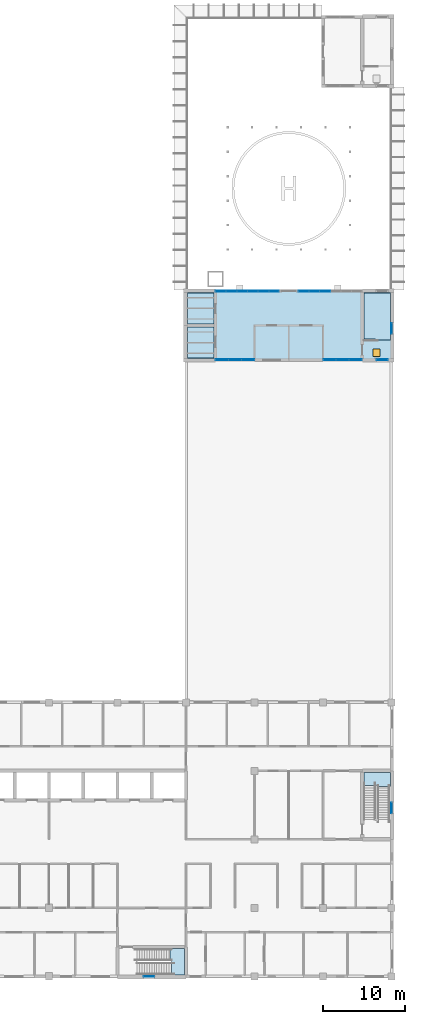
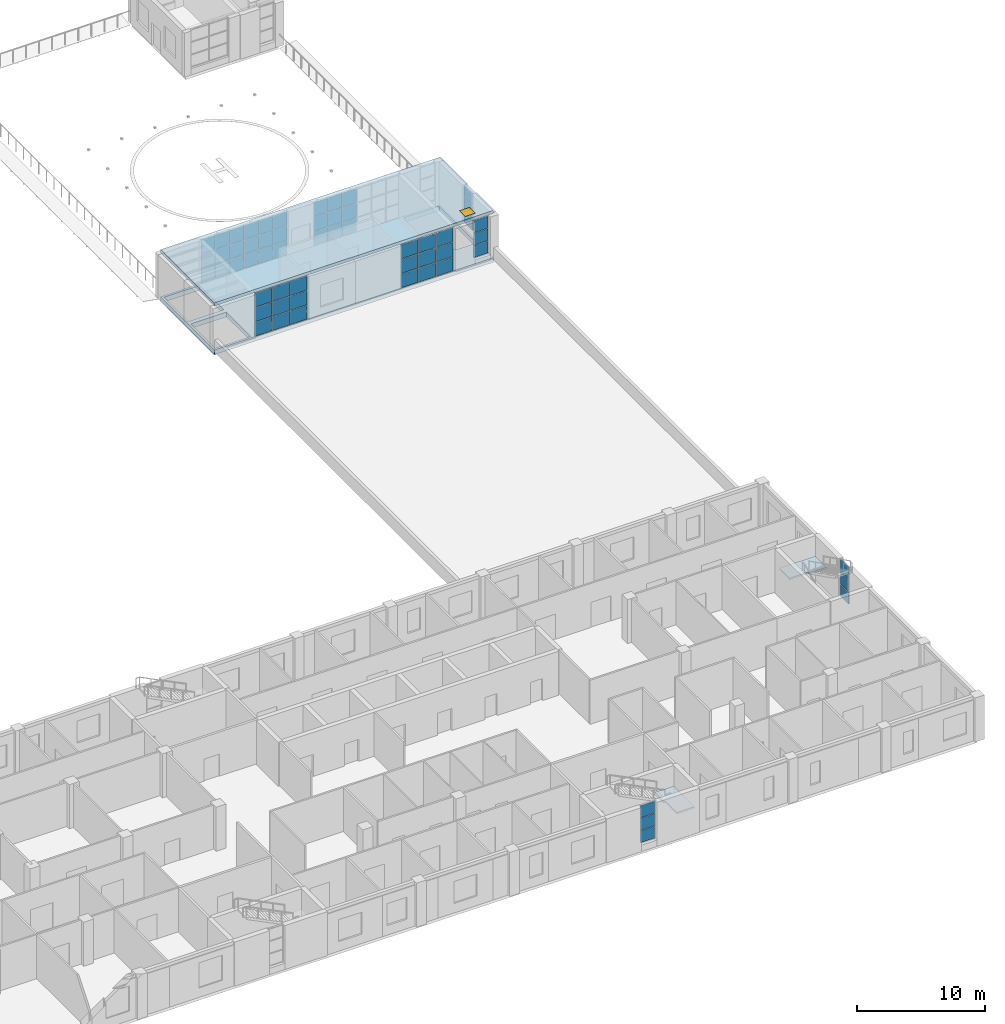
# One storey, part 30 of 66: 57 plates, 4 slabs, 1 door, 1 opening, 10 elements without a shape of their own.
"""IFC4 building model written with IfcOpenShell, lengths in metres."""

from ifc_helpers import new_model, si_unit, direction, frame, origin, origin_2d, place, context, subcontext, project, spatial, polyline, rectangle, outline, extrude, material, layer, layer_set, type_object, element, fill, aggregate, save


model = new_model("IFC4")

# Units and contexts
model_context = context("Model", 3, precision=1e-05, world=origin(), true_north=direction((0.0, 1.0)))
body_context = subcontext(model_context, "Body", "Model", "MODEL_VIEW")
ifc_project = project(units=[si_unit("LENGTHUNIT", "METRE"), si_unit("AREAUNIT", "SQUARE_METRE"), si_unit("VOLUMEUNIT", "CUBIC_METRE"), si_unit("PLANEANGLEUNIT", "RADIAN"), si_unit("MASSUNIT", "GRAM", prefix="KILO")], contexts=[model_context])

# Site, building, storey
site_placement = place(None, origin())
site = spatial("IfcSite", under=ifc_project, at=site_placement, CompositionType="ELEMENT")
building_placement = place(site_placement, origin())
building = spatial("IfcBuilding", under=site, at=building_placement, Name="Yavir Park General Hospital", CompositionType="ELEMENT")
storey_placement = place(building_placement, frame((0.0, 0.0, 8.39990234375)))
storey = spatial("IfcBuildingStorey", under=building, at=storey_placement, Name="L02", CompositionType="ELEMENT", Elevation=8.39990234375)

# Curtain wall, plates
ifc_material_1 = material(Name="Aluminium curtain wall frame with insulated glazing", Category="aluminium")
curtain_wall_type_1 = type_object("IfcCurtainWallType", Name="Helipad lobby glazing, 4200 high, 1400 module", PredefinedType="NOTDEFINED", material=ifc_material_1)
curtain_wall_1_placement = place(storey_placement, origin())
curtain_wall_1 = element("IfcCurtainWall", 1, at=curtain_wall_1_placement, inside=storey, type_object=curtain_wall_type_1, Name="CW7 L02-008", PredefinedType="NOTDEFINED")
ifc_material_2 = material(Name="Acoustic glazed unit 80 mm")
ifc_layer_1 = layer(ifc_material_2, 0.080078125)
ifc_layer_set_1 = layer_set([ifc_layer_1], Name="Acoustic glazed unit 80 mm")
plate_type_1 = type_object("IfcPlateType", Name="Helipad lobby glazing, 4200 high panel 80", PredefinedType="CURTAIN_PANEL", material=ifc_layer_set_1)
plate_1_placement = place(storey_placement, frame((147.215087890625, 75.60009765625, 0.06005859375), z_axis=(0.0, 0.0, 1.0), x_axis=(1.0, 0.0, 0.0)))
plate_1 = element("IfcPlate", 2, at=plate_1_placement, type_object=plate_type_1, Name="CW7 panel 1.1", PredefinedType="CURTAIN_PANEL", context=body_context, shape_type="SweptSolid", body=[
    extrude(rectangle(XDim=1.510009765625, YDim=0.080078125, at=origin_2d()), origin(), (0.0, 0.0, 1.0), 1.31005859375),
])
plate_2_placement = place(storey_placement, frame((147.215087890625, 75.60009765625, 1.43017578125), z_axis=(0.0, 0.0, 1.0), x_axis=(1.0, 0.0, 0.0)))
plate_2 = element("IfcPlate", 3, at=plate_2_placement, type_object=plate_type_1, Name="CW7 panel 1.2", PredefinedType="CURTAIN_PANEL", context=body_context, shape_type="SweptSolid", body=[
    extrude(rectangle(XDim=1.510009765625, YDim=0.080078125, at=origin_2d()), origin(), (0.0, 0.0, 1.0), 1.340087890625),
])
plate_3_placement = place(storey_placement, frame((147.215087890625, 75.60009765625, 2.830078125), z_axis=(0.0, 0.0, 1.0), x_axis=(1.0, 0.0, 0.0)))
plate_3 = element("IfcPlate", 4, at=plate_3_placement, type_object=plate_type_1, Name="CW7 panel 1.3", PredefinedType="CURTAIN_PANEL", context=body_context, shape_type="SweptSolid", body=[
    extrude(rectangle(XDim=1.510009765625, YDim=0.080078125, at=origin_2d()), origin(), (0.0, 0.0, 1.0), 1.31005859375),
])
plate_4_placement = place(storey_placement, frame((148.800048828125, 75.60009765625, 0.06005859375), z_axis=(0.0, 0.0, 1.0), x_axis=(1.0, 0.0, 0.0)))
plate_4 = element("IfcPlate", 5, at=plate_4_placement, type_object=plate_type_1, Name="CW7 panel 2.1", PredefinedType="CURTAIN_PANEL", context=body_context, shape_type="SweptSolid", body=[
    extrude(rectangle(XDim=1.5400390625, YDim=0.080078125, at=origin_2d()), origin(), (0.0, 0.0, 1.0), 1.31005859375),
])
plate_5_placement = place(storey_placement, frame((148.800048828125, 75.60009765625, 1.43017578125), z_axis=(0.0, 0.0, 1.0), x_axis=(1.0, 0.0, 0.0)))
plate_5 = element("IfcPlate", 6, at=plate_5_placement, type_object=plate_type_1, Name="CW7 panel 2.2", PredefinedType="CURTAIN_PANEL", context=body_context, shape_type="SweptSolid", body=[
    extrude(rectangle(XDim=1.5400390625, YDim=0.080078125, at=origin_2d()), origin(), (0.0, 0.0, 1.0), 1.340087890625),
])
plate_6_placement = place(storey_placement, frame((148.800048828125, 75.60009765625, 2.830078125), z_axis=(0.0, 0.0, 1.0), x_axis=(1.0, 0.0, 0.0)))
plate_6 = element("IfcPlate", 7, at=plate_6_placement, type_object=plate_type_1, Name="CW7 panel 2.3", PredefinedType="CURTAIN_PANEL", context=body_context, shape_type="SweptSolid", body=[
    extrude(rectangle(XDim=1.5400390625, YDim=0.080078125, at=origin_2d()), origin(), (0.0, 0.0, 1.0), 1.31005859375),
])
plate_7_placement = place(storey_placement, frame((150.385009765625, 75.60009765625, 0.06005859375), z_axis=(0.0, 0.0, 1.0), x_axis=(1.0, 0.0, 0.0)))
plate_7 = element("IfcPlate", 8, at=plate_7_placement, type_object=plate_type_1, Name="CW7 panel 3.1", PredefinedType="CURTAIN_PANEL", context=body_context, shape_type="SweptSolid", body=[
    extrude(rectangle(XDim=1.510009765625, YDim=0.080078125, at=origin_2d()), origin(), (0.0, 0.0, 1.0), 1.31005859375),
])
plate_8_placement = place(storey_placement, frame((150.385009765625, 75.60009765625, 1.43017578125), z_axis=(0.0, 0.0, 1.0), x_axis=(1.0, 0.0, 0.0)))
plate_8 = element("IfcPlate", 9, at=plate_8_placement, type_object=plate_type_1, Name="CW7 panel 3.2", PredefinedType="CURTAIN_PANEL", context=body_context, shape_type="SweptSolid", body=[
    extrude(rectangle(XDim=1.510009765625, YDim=0.080078125, at=origin_2d()), origin(), (0.0, 0.0, 1.0), 1.340087890625),
])
plate_9_placement = place(storey_placement, frame((150.385009765625, 75.60009765625, 2.830078125), z_axis=(0.0, 0.0, 1.0), x_axis=(1.0, 0.0, 0.0)))
plate_9 = element("IfcPlate", 10, at=plate_9_placement, type_object=plate_type_1, Name="CW7 panel 3.3", PredefinedType="CURTAIN_PANEL", context=body_context, shape_type="SweptSolid", body=[
    extrude(rectangle(XDim=1.510009765625, YDim=0.080078125, at=origin_2d()), origin(), (0.0, 0.0, 1.0), 1.31005859375),
])
aggregate(curtain_wall_1, [plate_1, plate_2, plate_3, plate_4, plate_5, plate_6, plate_7, plate_8, plate_9])

curtain_wall_2_placement = place(storey_placement, origin())
curtain_wall_2 = element("IfcCurtainWall", 11, at=curtain_wall_2_placement, inside=storey, type_object=curtain_wall_type_1, Name="CW7 L02-009", PredefinedType="NOTDEFINED")
plate_10_placement = place(storey_placement, frame((160.4150390625, 75.60009765625, 0.06005859375), z_axis=(0.0, 0.0, 1.0), x_axis=(1.0, 0.0, 0.0)))
plate_10 = element("IfcPlate", 12, at=plate_10_placement, type_object=plate_type_1, Name="CW7 panel 1.1", PredefinedType="CURTAIN_PANEL", context=body_context, shape_type="SweptSolid", body=[
    extrude(rectangle(XDim=1.510009765625, YDim=0.080078125, at=origin_2d()), origin(), (0.0, 0.0, 1.0), 1.31005859375),
])
plate_11_placement = place(storey_placement, frame((160.4150390625, 75.60009765625, 1.43017578125), z_axis=(0.0, 0.0, 1.0), x_axis=(1.0, 0.0, 0.0)))
plate_11 = element("IfcPlate", 13, at=plate_11_placement, type_object=plate_type_1, Name="CW7 panel 1.2", PredefinedType="CURTAIN_PANEL", context=body_context, shape_type="SweptSolid", body=[
    extrude(rectangle(XDim=1.510009765625, YDim=0.080078125, at=origin_2d()), origin(), (0.0, 0.0, 1.0), 1.340087890625),
])
plate_12_placement = place(storey_placement, frame((160.4150390625, 75.60009765625, 2.830078125), z_axis=(0.0, 0.0, 1.0), x_axis=(1.0, 0.0, 0.0)))
plate_12 = element("IfcPlate", 14, at=plate_12_placement, type_object=plate_type_1, Name="CW7 panel 1.3", PredefinedType="CURTAIN_PANEL", context=body_context, shape_type="SweptSolid", body=[
    extrude(rectangle(XDim=1.510009765625, YDim=0.080078125, at=origin_2d()), origin(), (0.0, 0.0, 1.0), 1.31005859375),
])
plate_13_placement = place(storey_placement, frame((162.0, 75.60009765625, 0.06005859375), z_axis=(0.0, 0.0, 1.0), x_axis=(1.0, 0.0, 0.0)))
plate_13 = element("IfcPlate", 15, at=plate_13_placement, type_object=plate_type_1, Name="CW7 panel 2.1", PredefinedType="CURTAIN_PANEL", context=body_context, shape_type="SweptSolid", body=[
    extrude(rectangle(XDim=1.5400390625, YDim=0.080078125, at=origin_2d()), origin(), (0.0, 0.0, 1.0), 1.31005859375),
])
plate_14_placement = place(storey_placement, frame((162.0, 75.60009765625, 1.43017578125), z_axis=(0.0, 0.0, 1.0), x_axis=(1.0, 0.0, 0.0)))
plate_14 = element("IfcPlate", 16, at=plate_14_placement, type_object=plate_type_1, Name="CW7 panel 2.2", PredefinedType="CURTAIN_PANEL", context=body_context, shape_type="SweptSolid", body=[
    extrude(rectangle(XDim=1.5400390625, YDim=0.080078125, at=origin_2d()), origin(), (0.0, 0.0, 1.0), 1.340087890625),
])
plate_15_placement = place(storey_placement, frame((162.0, 75.60009765625, 2.830078125), z_axis=(0.0, 0.0, 1.0), x_axis=(1.0, 0.0, 0.0)))
plate_15 = element("IfcPlate", 17, at=plate_15_placement, type_object=plate_type_1, Name="CW7 panel 2.3", PredefinedType="CURTAIN_PANEL", context=body_context, shape_type="SweptSolid", body=[
    extrude(rectangle(XDim=1.5400390625, YDim=0.080078125, at=origin_2d()), origin(), (0.0, 0.0, 1.0), 1.31005859375),
])
plate_16_placement = place(storey_placement, frame((163.5849609375, 75.60009765625, 0.06005859375), z_axis=(0.0, 0.0, 1.0), x_axis=(1.0, 0.0, 0.0)))
plate_16 = element("IfcPlate", 18, at=plate_16_placement, type_object=plate_type_1, Name="CW7 panel 3.1", PredefinedType="CURTAIN_PANEL", context=body_context, shape_type="SweptSolid", body=[
    extrude(rectangle(XDim=1.510009765625, YDim=0.080078125, at=origin_2d()), origin(), (0.0, 0.0, 1.0), 1.31005859375),
])
plate_17_placement = place(storey_placement, frame((163.5849609375, 75.60009765625, 1.43017578125), z_axis=(0.0, 0.0, 1.0), x_axis=(1.0, 0.0, 0.0)))
plate_17 = element("IfcPlate", 19, at=plate_17_placement, type_object=plate_type_1, Name="CW7 panel 3.2", PredefinedType="CURTAIN_PANEL", context=body_context, shape_type="SweptSolid", body=[
    extrude(rectangle(XDim=1.510009765625, YDim=0.080078125, at=origin_2d()), origin(), (0.0, 0.0, 1.0), 1.340087890625),
])
plate_18_placement = place(storey_placement, frame((163.5849609375, 75.60009765625, 2.830078125), z_axis=(0.0, 0.0, 1.0), x_axis=(1.0, 0.0, 0.0)))
plate_18 = element("IfcPlate", 20, at=plate_18_placement, type_object=plate_type_1, Name="CW7 panel 3.3", PredefinedType="CURTAIN_PANEL", context=body_context, shape_type="SweptSolid", body=[
    extrude(rectangle(XDim=1.510009765625, YDim=0.080078125, at=origin_2d()), origin(), (0.0, 0.0, 1.0), 1.31005859375),
])
aggregate(curtain_wall_2, [plate_10, plate_11, plate_12, plate_13, plate_14, plate_15, plate_16, plate_17, plate_18])

curtain_wall_3_placement = place(storey_placement, origin())
curtain_wall_3 = element("IfcCurtainWall", 21, at=curtain_wall_3_placement, inside=storey, type_object=curtain_wall_type_1, Name="CW7 L02-011", PredefinedType="NOTDEFINED")
plate_19_placement = place(storey_placement, frame((147.069091796875, 84.0, 0.06005859375), z_axis=(0.0, 0.0, 1.0), x_axis=(1.0, 0.0, 0.0)))
plate_19 = element("IfcPlate", 22, at=plate_19_placement, type_object=plate_type_1, Name="CW7 panel 1.1", PredefinedType="CURTAIN_PANEL", context=body_context, shape_type="SweptSolid", body=[
    extrude(rectangle(XDim=1.21826171875, YDim=0.080078125, at=origin_2d()), origin(), (0.0, 0.0, 1.0), 1.31005859375),
])
plate_20_placement = place(storey_placement, frame((147.069091796875, 84.0, 1.43017578125), z_axis=(0.0, 0.0, 1.0), x_axis=(1.0, 0.0, 0.0)))
plate_20 = element("IfcPlate", 23, at=plate_20_placement, type_object=plate_type_1, Name="CW7 panel 1.2", PredefinedType="CURTAIN_PANEL", context=body_context, shape_type="SweptSolid", body=[
    extrude(rectangle(XDim=1.21826171875, YDim=0.080078125, at=origin_2d()), origin(), (0.0, 0.0, 1.0), 1.340087890625),
])
plate_21_placement = place(storey_placement, frame((147.069091796875, 84.0, 2.830078125), z_axis=(0.0, 0.0, 1.0), x_axis=(1.0, 0.0, 0.0)))
plate_21 = element("IfcPlate", 24, at=plate_21_placement, type_object=plate_type_1, Name="CW7 panel 1.3", PredefinedType="CURTAIN_PANEL", context=body_context, shape_type="SweptSolid", body=[
    extrude(rectangle(XDim=1.21826171875, YDim=0.080078125, at=origin_2d()), origin(), (0.0, 0.0, 1.0), 1.31005859375),
])
plate_22_placement = place(storey_placement, frame((148.362548828125, 84.0, 0.06005859375), z_axis=(0.0, 0.0, 1.0), x_axis=(1.0, 0.0, 0.0)))
plate_22 = element("IfcPlate", 25, at=plate_22_placement, type_object=plate_type_1, Name="CW7 panel 2.1", PredefinedType="CURTAIN_PANEL", context=body_context, shape_type="SweptSolid", body=[
    extrude(rectangle(XDim=1.248291015625, YDim=0.080078125, at=origin_2d()), origin(), (0.0, 0.0, 1.0), 1.31005859375),
])
plate_23_placement = place(storey_placement, frame((148.362548828125, 84.0, 1.43017578125), z_axis=(0.0, 0.0, 1.0), x_axis=(1.0, 0.0, 0.0)))
plate_23 = element("IfcPlate", 26, at=plate_23_placement, type_object=plate_type_1, Name="CW7 panel 2.2", PredefinedType="CURTAIN_PANEL", context=body_context, shape_type="SweptSolid", body=[
    extrude(rectangle(XDim=1.248291015625, YDim=0.080078125, at=origin_2d()), origin(), (0.0, 0.0, 1.0), 1.340087890625),
])
plate_24_placement = place(storey_placement, frame((148.362548828125, 84.0, 2.830078125), z_axis=(0.0, 0.0, 1.0), x_axis=(1.0, 0.0, 0.0)))
plate_24 = element("IfcPlate", 27, at=plate_24_placement, type_object=plate_type_1, Name="CW7 panel 2.3", PredefinedType="CURTAIN_PANEL", context=body_context, shape_type="SweptSolid", body=[
    extrude(rectangle(XDim=1.248291015625, YDim=0.080078125, at=origin_2d()), origin(), (0.0, 0.0, 1.0), 1.31005859375),
])
plate_25_placement = place(storey_placement, frame((149.6708984375, 84.0, 0.06005859375), z_axis=(0.0, 0.0, 1.0), x_axis=(1.0, 0.0, 0.0)))
plate_25 = element("IfcPlate", 28, at=plate_25_placement, type_object=plate_type_1, Name="CW7 panel 3.1", PredefinedType="CURTAIN_PANEL", context=body_context, shape_type="SweptSolid", body=[
    extrude(rectangle(XDim=1.248291015625, YDim=0.080078125, at=origin_2d()), origin(), (0.0, 0.0, 1.0), 1.31005859375),
])
plate_26_placement = place(storey_placement, frame((149.6708984375, 84.0, 1.43017578125), z_axis=(0.0, 0.0, 1.0), x_axis=(1.0, 0.0, 0.0)))
plate_26 = element("IfcPlate", 29, at=plate_26_placement, type_object=plate_type_1, Name="CW7 panel 3.2", PredefinedType="CURTAIN_PANEL", context=body_context, shape_type="SweptSolid", body=[
    extrude(rectangle(XDim=1.248291015625, YDim=0.080078125, at=origin_2d()), origin(), (0.0, 0.0, 1.0), 1.340087890625),
])
plate_27_placement = place(storey_placement, frame((149.6708984375, 84.0, 2.830078125), z_axis=(0.0, 0.0, 1.0), x_axis=(1.0, 0.0, 0.0)))
plate_27 = element("IfcPlate", 30, at=plate_27_placement, type_object=plate_type_1, Name="CW7 panel 3.3", PredefinedType="CURTAIN_PANEL", context=body_context, shape_type="SweptSolid", body=[
    extrude(rectangle(XDim=1.248291015625, YDim=0.080078125, at=origin_2d()), origin(), (0.0, 0.0, 1.0), 1.31005859375),
])
plate_28_placement = place(storey_placement, frame((150.979248046875, 84.0, 0.06005859375), z_axis=(0.0, 0.0, 1.0), x_axis=(1.0, 0.0, 0.0)))
plate_28 = element("IfcPlate", 31, at=plate_28_placement, type_object=plate_type_1, Name="CW7 panel 4.1", PredefinedType="CURTAIN_PANEL", context=body_context, shape_type="SweptSolid", body=[
    extrude(rectangle(XDim=1.248291015625, YDim=0.080078125, at=origin_2d()), origin(), (0.0, 0.0, 1.0), 1.31005859375),
])
plate_29_placement = place(storey_placement, frame((150.979248046875, 84.0, 1.43017578125), z_axis=(0.0, 0.0, 1.0), x_axis=(1.0, 0.0, 0.0)))
plate_29 = element("IfcPlate", 32, at=plate_29_placement, type_object=plate_type_1, Name="CW7 panel 4.2", PredefinedType="CURTAIN_PANEL", context=body_context, shape_type="SweptSolid", body=[
    extrude(rectangle(XDim=1.248291015625, YDim=0.080078125, at=origin_2d()), origin(), (0.0, 0.0, 1.0), 1.340087890625),
])
plate_30_placement = place(storey_placement, frame((150.979248046875, 84.0, 2.830078125), z_axis=(0.0, 0.0, 1.0), x_axis=(1.0, 0.0, 0.0)))
plate_30 = element("IfcPlate", 33, at=plate_30_placement, type_object=plate_type_1, Name="CW7 panel 4.3", PredefinedType="CURTAIN_PANEL", context=body_context, shape_type="SweptSolid", body=[
    extrude(rectangle(XDim=1.248291015625, YDim=0.080078125, at=origin_2d()), origin(), (0.0, 0.0, 1.0), 1.31005859375),
])
plate_31_placement = place(storey_placement, frame((152.28759765625, 84.0, 0.06005859375), z_axis=(0.0, 0.0, 1.0), x_axis=(1.0, 0.0, 0.0)))
plate_31 = element("IfcPlate", 34, at=plate_31_placement, type_object=plate_type_1, Name="CW7 panel 5.1", PredefinedType="CURTAIN_PANEL", context=body_context, shape_type="SweptSolid", body=[
    extrude(rectangle(XDim=1.248291015625, YDim=0.080078125, at=origin_2d()), origin(), (0.0, 0.0, 1.0), 1.31005859375),
])
plate_32_placement = place(storey_placement, frame((152.28759765625, 84.0, 1.43017578125), z_axis=(0.0, 0.0, 1.0), x_axis=(1.0, 0.0, 0.0)))
plate_32 = element("IfcPlate", 35, at=plate_32_placement, type_object=plate_type_1, Name="CW7 panel 5.2", PredefinedType="CURTAIN_PANEL", context=body_context, shape_type="SweptSolid", body=[
    extrude(rectangle(XDim=1.248291015625, YDim=0.080078125, at=origin_2d()), origin(), (0.0, 0.0, 1.0), 1.340087890625),
])
plate_33_placement = place(storey_placement, frame((152.28759765625, 84.0, 2.830078125), z_axis=(0.0, 0.0, 1.0), x_axis=(1.0, 0.0, 0.0)))
plate_33 = element("IfcPlate", 36, at=plate_33_placement, type_object=plate_type_1, Name="CW7 panel 5.3", PredefinedType="CURTAIN_PANEL", context=body_context, shape_type="SweptSolid", body=[
    extrude(rectangle(XDim=1.248291015625, YDim=0.080078125, at=origin_2d()), origin(), (0.0, 0.0, 1.0), 1.31005859375),
])
plate_34_placement = place(storey_placement, frame((153.580810546875, 84.0, 0.06005859375), z_axis=(0.0, 0.0, 1.0), x_axis=(1.0, 0.0, 0.0)))
plate_34 = element("IfcPlate", 37, at=plate_34_placement, type_object=plate_type_1, Name="CW7 panel 6.1", PredefinedType="CURTAIN_PANEL", context=body_context, shape_type="SweptSolid", body=[
    extrude(rectangle(XDim=1.21826171875, YDim=0.080078125, at=origin_2d()), origin(), (0.0, 0.0, 1.0), 1.31005859375),
])
plate_35_placement = place(storey_placement, frame((153.580810546875, 84.0, 1.43017578125), z_axis=(0.0, 0.0, 1.0), x_axis=(1.0, 0.0, 0.0)))
plate_35 = element("IfcPlate", 38, at=plate_35_placement, type_object=plate_type_1, Name="CW7 panel 6.2", PredefinedType="CURTAIN_PANEL", context=body_context, shape_type="SweptSolid", body=[
    extrude(rectangle(XDim=1.21826171875, YDim=0.080078125, at=origin_2d()), origin(), (0.0, 0.0, 1.0), 1.340087890625),
])
plate_36_placement = place(storey_placement, frame((153.580810546875, 84.0, 2.830078125), z_axis=(0.0, 0.0, 1.0), x_axis=(1.0, 0.0, 0.0)))
plate_36 = element("IfcPlate", 39, at=plate_36_placement, type_object=plate_type_1, Name="CW7 panel 6.3", PredefinedType="CURTAIN_PANEL", context=body_context, shape_type="SweptSolid", body=[
    extrude(rectangle(XDim=1.21826171875, YDim=0.080078125, at=origin_2d()), origin(), (0.0, 0.0, 1.0), 1.31005859375),
])
aggregate(curtain_wall_3, [plate_19, plate_20, plate_21, plate_22, plate_23, plate_24, plate_25, plate_26, plate_27, plate_28, plate_29, plate_30, plate_31, plate_32, plate_33, plate_34, plate_35, plate_36])

curtain_wall_4_placement = place(storey_placement, origin())
curtain_wall_4 = element("IfcCurtainWall", 40, at=curtain_wall_4_placement, inside=storey, type_object=curtain_wall_type_1, Name="CW7 L02-012", PredefinedType="NOTDEFINED")
plate_37_placement = place(storey_placement, frame((157.21923828125, 84.0, 0.06005859375), z_axis=(0.0, 0.0, 1.0), x_axis=(1.0, 0.0, 0.0)))
plate_37 = element("IfcPlate", 41, at=plate_37_placement, type_object=plate_type_1, Name="CW7 panel 1.1", PredefinedType="CURTAIN_PANEL", context=body_context, shape_type="SweptSolid", body=[
    extrude(rectangle(XDim=1.21826171875, YDim=0.080078125, at=origin_2d()), origin(), (0.0, 0.0, 1.0), 1.31005859375),
])
plate_38_placement = place(storey_placement, frame((157.21923828125, 84.0, 1.43017578125), z_axis=(0.0, 0.0, 1.0), x_axis=(1.0, 0.0, 0.0)))
plate_38 = element("IfcPlate", 42, at=plate_38_placement, type_object=plate_type_1, Name="CW7 panel 1.2", PredefinedType="CURTAIN_PANEL", context=body_context, shape_type="SweptSolid", body=[
    extrude(rectangle(XDim=1.21826171875, YDim=0.080078125, at=origin_2d()), origin(), (0.0, 0.0, 1.0), 1.340087890625),
])
plate_39_placement = place(storey_placement, frame((157.21923828125, 84.0, 2.830078125), z_axis=(0.0, 0.0, 1.0), x_axis=(1.0, 0.0, 0.0)))
plate_39 = element("IfcPlate", 43, at=plate_39_placement, type_object=plate_type_1, Name="CW7 panel 1.3", PredefinedType="CURTAIN_PANEL", context=body_context, shape_type="SweptSolid", body=[
    extrude(rectangle(XDim=1.21826171875, YDim=0.080078125, at=origin_2d()), origin(), (0.0, 0.0, 1.0), 1.31005859375),
])
plate_40_placement = place(storey_placement, frame((158.512451171875, 84.0, 0.06005859375), z_axis=(0.0, 0.0, 1.0), x_axis=(1.0, 0.0, 0.0)))
plate_40 = element("IfcPlate", 44, at=plate_40_placement, type_object=plate_type_1, Name="CW7 panel 2.1", PredefinedType="CURTAIN_PANEL", context=body_context, shape_type="SweptSolid", body=[
    extrude(rectangle(XDim=1.248291015625, YDim=0.080078125, at=origin_2d()), origin(), (0.0, 0.0, 1.0), 1.31005859375),
])
plate_41_placement = place(storey_placement, frame((158.512451171875, 84.0, 1.43017578125), z_axis=(0.0, 0.0, 1.0), x_axis=(1.0, 0.0, 0.0)))
plate_41 = element("IfcPlate", 45, at=plate_41_placement, type_object=plate_type_1, Name="CW7 panel 2.2", PredefinedType="CURTAIN_PANEL", context=body_context, shape_type="SweptSolid", body=[
    extrude(rectangle(XDim=1.248291015625, YDim=0.080078125, at=origin_2d()), origin(), (0.0, 0.0, 1.0), 1.340087890625),
])
plate_42_placement = place(storey_placement, frame((158.512451171875, 84.0, 2.830078125), z_axis=(0.0, 0.0, 1.0), x_axis=(1.0, 0.0, 0.0)))
plate_42 = element("IfcPlate", 46, at=plate_42_placement, type_object=plate_type_1, Name="CW7 panel 2.3", PredefinedType="CURTAIN_PANEL", context=body_context, shape_type="SweptSolid", body=[
    extrude(rectangle(XDim=1.248291015625, YDim=0.080078125, at=origin_2d()), origin(), (0.0, 0.0, 1.0), 1.31005859375),
])
plate_43_placement = place(storey_placement, frame((159.82080078125, 84.0, 0.06005859375), z_axis=(0.0, 0.0, 1.0), x_axis=(1.0, 0.0, 0.0)))
plate_43 = element("IfcPlate", 47, at=plate_43_placement, type_object=plate_type_1, Name="CW7 panel 3.1", PredefinedType="CURTAIN_PANEL", context=body_context, shape_type="SweptSolid", body=[
    extrude(rectangle(XDim=1.248291015625, YDim=0.080078125, at=origin_2d()), origin(), (0.0, 0.0, 1.0), 1.31005859375),
])
plate_44_placement = place(storey_placement, frame((159.82080078125, 84.0, 1.43017578125), z_axis=(0.0, 0.0, 1.0), x_axis=(1.0, 0.0, 0.0)))
plate_44 = element("IfcPlate", 48, at=plate_44_placement, type_object=plate_type_1, Name="CW7 panel 3.2", PredefinedType="CURTAIN_PANEL", context=body_context, shape_type="SweptSolid", body=[
    extrude(rectangle(XDim=1.248291015625, YDim=0.080078125, at=origin_2d()), origin(), (0.0, 0.0, 1.0), 1.340087890625),
])
plate_45_placement = place(storey_placement, frame((159.82080078125, 84.0, 2.830078125), z_axis=(0.0, 0.0, 1.0), x_axis=(1.0, 0.0, 0.0)))
plate_45 = element("IfcPlate", 49, at=plate_45_placement, type_object=plate_type_1, Name="CW7 panel 3.3", PredefinedType="CURTAIN_PANEL", context=body_context, shape_type="SweptSolid", body=[
    extrude(rectangle(XDim=1.248291015625, YDim=0.080078125, at=origin_2d()), origin(), (0.0, 0.0, 1.0), 1.31005859375),
])
aggregate(curtain_wall_4, [plate_37, plate_38, plate_39, plate_40, plate_41, plate_42, plate_43, plate_44, plate_45])

# Stair, slab
ifc_material_3 = material(Name="Concrete C30/37", Category="concrete")
stair_type = type_object("IfcStairType", Name="Patient escape stair, 30 risers of 150 mm, 1400 mm flights", PredefinedType="HALF_TURN_STAIR", material=ifc_material_3)
stair_1_placement = place(storey_placement, origin())
stair_1 = element("IfcStair", 50, at=stair_1_placement, inside=storey, type_object=stair_type, Name="Stair SU5, L02 to I02", PredefinedType="HALF_TURN_STAIR")
ifc_material_4 = material(Name="Concrete C30/37", Category="concrete")
ifc_layer_2 = layer(ifc_material_4, 0.159912109375)
ifc_layer_set_2 = layer_set([ifc_layer_2], Name="Concrete C30/37")
slab_type_1 = type_object("IfcSlabType", Name="Patient escape stair half landing, reinforced concrete 160 mm", PredefinedType="LANDING", material=ifc_layer_set_2)
slab_1_placement = place(storey_placement, frame((0.0, 0.0, 2.090087890625)))
slab_1 = element("IfcSlab", 51, at=slab_1_placement, type_object=slab_type_1, Name="SU5 landing 1", PredefinedType="LANDING", context=body_context, shape_type="SweptSolid", body=[
    extrude(outline(polyline([(140.99853515625, 0.14990234375), (142.60009765625, 0.14990234375), (142.60009765625, 3.39990234375), (140.85009765625, 3.39990234375), (140.85009765625, 1.949951171875), (140.99853515625, 1.949951171875), (140.99853515625, 0.14990234375)])), origin(), (0.0, 0.0, 1.0), 0.159912109375),
])
aggregate(stair_1, [slab_1])

stair_2_placement = place(storey_placement, origin())
stair_2 = element("IfcStair", 52, at=stair_2_placement, inside=storey, type_object=stair_type, Name="Stair SU6, L02 to I02", PredefinedType="HALF_TURN_STAIR")
slab_2_placement = place(storey_placement, frame((0.0, 0.0, 2.090087890625)))
slab_2 = element("IfcSlab", 53, at=slab_2_placement, type_object=slab_type_1, Name="SU6 landing 1", PredefinedType="LANDING", context=body_context, shape_type="SweptSolid", body=[
    extrude(outline(polyline([(164.60009765625, 23.3984375), (164.60009765625, 25.0), (167.85009765625, 25.0), (167.85009765625, 23.25), (166.300048828125, 23.25), (166.300048828125, 23.3984375), (164.60009765625, 23.3984375)])), origin(), (0.0, 0.0, 1.0), 0.159912109375),
])
aggregate(stair_2, [slab_2])

# Slab
ifc_material_5 = material(Name="Concrete C35/45", Category="concrete")
ifc_layer_3 = layer(ifc_material_5, 0.449951171875)
ifc_layer_set_3 = layer_set([ifc_layer_3], Name="Concrete C35/45")
slab_type_2 = type_object("IfcSlabType", Name="RC SLAB FLOOR 450", PredefinedType="FLOOR", material=ifc_layer_set_3)
slab_3_placement = place(storey_placement, frame((0.0, 0.0, -0.4501953125)))
element("IfcSlab", 54, at=slab_3_placement, inside=storey, type_object=slab_type_2, Name="S:L02:1", PredefinedType="FLOOR", context=body_context, shape_type="SweptSolid", body=[
    extrude(outline(polyline([(142.800048828125, 84.0), (142.800048828125, 75.60009765625), (168.0, 75.60009765625), (168.0, 84.0), (142.800048828125, 84.0)]), holes=[polyline([(143.0, 79.60009765625), (146.199951171875, 79.60009765625), (146.199951171875, 75.800048828125), (143.0, 75.800048828125), (143.0, 79.60009765625)]), polyline([(143.0, 83.800048828125), (146.199951171875, 83.800048828125), (146.199951171875, 80.0), (143.0, 80.0), (143.0, 83.800048828125)]), polyline([(166.0, 78.151611328125), (164.60009765625, 78.151611328125), (164.60009765625, 83.800048828125), (167.85009765625, 83.800048828125), (167.85009765625, 78.00146484375), (166.0, 78.00146484375), (166.0, 78.151611328125)])]), origin(), (0.0, 0.0, 1.0), 0.4501953125),
])

# Slab, opening, door
ifc_material_6 = material(Name="Concrete C35/45", Category="concrete")
ifc_layer_4 = layer(ifc_material_6, 0.300048828125)
ifc_layer_set_4 = layer_set([ifc_layer_4], Name="Concrete C35/45")
slab_type_3 = type_object("IfcSlabType", Name="RC SLAB ROOF 300", PredefinedType="ROOF", material=ifc_layer_set_4)
slab_4_placement = place(storey_placement, frame((0.0, 0.0, 4.199951171875)))
slab_4 = element("IfcSlab", 55, at=slab_4_placement, inside=storey, type_object=slab_type_3, Name="RF:L02:0", PredefinedType="ROOF", context=body_context, shape_type="SweptSolid", body=[
    extrude(outline(polyline([(168.0, 84.0), (142.800048828125, 84.0), (142.800048828125, 75.60009765625), (168.0, 75.60009765625), (168.0, 84.0)])), origin(), (0.0, 0.0, 1.0), 0.300048828125),
])
opening_placement = place(slab_4_placement, frame((166.14990234375, 76.449951171875, 0.0)))
opening = element("IfcOpeningElement", 56, at=opening_placement, cuts=slab_4, Name="Opening L02.H01", PredefinedType="OPENING", context=body_context, shape_type="SweptSolid", body=[
    extrude(rectangle(XDim=0.89990234375, YDim=0.89990234375, at=origin_2d()), origin(), (0.0, 0.0, 1.0), 0.300048828125),
])
ifc_material_7 = material(Name="Insulated steel hatch cover", Category="steel")
door_type = type_object("IfcDoorType", Name="Roof access hatch 900 x 900", OperationType="SINGLE_SWING_LEFT", PredefinedType="TRAPDOOR", material=ifc_material_7)
door_placement = place(opening_placement, frame((0.0, 0.0, 0.25)))
door = element("IfcDoor", 57, at=door_placement, inside=storey, type_object=door_type, Name="L02.H01", OperationType="SINGLE_SWING_LEFT", OverallHeight=0.89990234375, OverallWidth=0.89990234375, PredefinedType="TRAPDOOR", context=body_context, shape_type="SweptSolid", body=[
    extrude(rectangle(XDim=0.89990234375, YDim=0.89990234375, at=origin_2d()), origin(), (0.0, 0.0, 1.0), 0.050048828125),
])
fill(opening, door)

# Curtain wall, plates
ifc_material_8 = material(Name="Aluminium curtain wall frame with insulated glazing", Category="aluminium")
curtain_wall_type_2 = type_object("IfcCurtainWallType", Name="Stair light slot, podium, 3600 high, 1400 module", PredefinedType="NOTDEFINED", material=ifc_material_8)
curtain_wall_5_placement = place(storey_placement, origin())
curtain_wall_5 = element("IfcCurtainWall", 58, at=curtain_wall_5_placement, inside=storey, type_object=curtain_wall_type_2, Name="CW57 L02-004", PredefinedType="NOTDEFINED")
ifc_material_9 = material(Name="Fire-resisting glazed unit 70 mm")
ifc_layer_5 = layer(ifc_material_9, 0.070068359375)
ifc_layer_set_5 = layer_set([ifc_layer_5], Name="Fire-resisting glazed unit 70 mm")
plate_type_2 = type_object("IfcPlateType", Name="Stair light slot, podium, 3600 high panel 70", PredefinedType="CURTAIN_PANEL", material=ifc_layer_set_5)
plate_46_placement = place(storey_placement, frame((138.25, 0.0, 0.650146484375), z_axis=(0.0, 0.0, 1.0), x_axis=(1.0, 0.0, 0.0)))
plate_46 = element("IfcPlate", 59, at=plate_46_placement, type_object=plate_type_2, Name="CW57 panel 1.1", PredefinedType="CURTAIN_PANEL", context=body_context, shape_type="SweptSolid", body=[
    extrude(rectangle(XDim=1.300048828125, YDim=0.070068359375, at=origin_2d()), origin(), (0.0, 0.0, 1.0), 1.125),
])
plate_47_placement = place(storey_placement, frame((138.25, 0.0, 1.8251953125), z_axis=(0.0, 0.0, 1.0), x_axis=(1.0, 0.0, 0.0)))
plate_47 = element("IfcPlate", 60, at=plate_47_placement, type_object=plate_type_2, Name="CW57 panel 1.2", PredefinedType="CURTAIN_PANEL", context=body_context, shape_type="SweptSolid", body=[
    extrude(rectangle(XDim=1.300048828125, YDim=0.070068359375, at=origin_2d()), origin(), (0.0, 0.0, 1.0), 1.14990234375),
])
plate_48_placement = place(storey_placement, frame((138.25, 0.0, 3.025146484375), z_axis=(0.0, 0.0, 1.0), x_axis=(1.0, 0.0, 0.0)))
plate_48 = element("IfcPlate", 61, at=plate_48_placement, type_object=plate_type_2, Name="CW57 panel 1.3", PredefinedType="CURTAIN_PANEL", context=body_context, shape_type="SweptSolid", body=[
    extrude(rectangle(XDim=1.300048828125, YDim=0.070068359375, at=origin_2d()), origin(), (0.0, 0.0, 1.0), 1.125),
])
aggregate(curtain_wall_5, [plate_46, plate_47, plate_48])

curtain_wall_6_placement = place(storey_placement, origin())
curtain_wall_6 = element("IfcCurtainWall", 62, at=curtain_wall_6_placement, inside=storey, type_object=curtain_wall_type_2, Name="CW57 L02-010", PredefinedType="NOTDEFINED")
plate_49_placement = place(storey_placement, frame((166.85009765625, 75.60009765625, 0.650146484375), z_axis=(0.0, 0.0, 1.0), x_axis=(1.0, 0.0, 0.0)))
plate_49 = element("IfcPlate", 63, at=plate_49_placement, type_object=plate_type_2, Name="CW57 panel 1.1", PredefinedType="CURTAIN_PANEL", context=body_context, shape_type="SweptSolid", body=[
    extrude(rectangle(XDim=1.300048828125, YDim=0.070068359375, at=origin_2d()), origin(), (0.0, 0.0, 1.0), 1.125),
])
plate_50_placement = place(storey_placement, frame((166.85009765625, 75.60009765625, 1.8251953125), z_axis=(0.0, 0.0, 1.0), x_axis=(1.0, 0.0, 0.0)))
plate_50 = element("IfcPlate", 64, at=plate_50_placement, type_object=plate_type_2, Name="CW57 panel 1.2", PredefinedType="CURTAIN_PANEL", context=body_context, shape_type="SweptSolid", body=[
    extrude(rectangle(XDim=1.300048828125, YDim=0.070068359375, at=origin_2d()), origin(), (0.0, 0.0, 1.0), 1.14990234375),
])
plate_51_placement = place(storey_placement, frame((166.85009765625, 75.60009765625, 3.025146484375), z_axis=(0.0, 0.0, 1.0), x_axis=(1.0, 0.0, 0.0)))
plate_51 = element("IfcPlate", 65, at=plate_51_placement, type_object=plate_type_2, Name="CW57 panel 1.3", PredefinedType="CURTAIN_PANEL", context=body_context, shape_type="SweptSolid", body=[
    extrude(rectangle(XDim=1.300048828125, YDim=0.070068359375, at=origin_2d()), origin(), (0.0, 0.0, 1.0), 1.125),
])
aggregate(curtain_wall_6, [plate_49, plate_50, plate_51])

curtain_wall_7_placement = place(storey_placement, origin())
curtain_wall_7 = element("IfcCurtainWall", 66, at=curtain_wall_7_placement, inside=storey, type_object=curtain_wall_type_2, Name="CW57 L02-025", PredefinedType="NOTDEFINED")
plate_52_placement = place(storey_placement, frame((168.0, 20.64990234375, 0.650146484375), z_axis=(0.0, 0.0, 1.0), x_axis=(0.0, 1.0, 0.0)))
plate_52 = element("IfcPlate", 67, at=plate_52_placement, type_object=plate_type_2, Name="CW57 panel 1.1", PredefinedType="CURTAIN_PANEL", context=body_context, shape_type="SweptSolid", body=[
    extrude(rectangle(XDim=1.300048828125, YDim=0.070068359375, at=origin_2d()), origin(), (0.0, 0.0, 1.0), 1.125),
])
plate_53_placement = place(storey_placement, frame((168.0, 20.64990234375, 1.8251953125), z_axis=(0.0, 0.0, 1.0), x_axis=(0.0, 1.0, 0.0)))
plate_53 = element("IfcPlate", 68, at=plate_53_placement, type_object=plate_type_2, Name="CW57 panel 1.2", PredefinedType="CURTAIN_PANEL", context=body_context, shape_type="SweptSolid", body=[
    extrude(rectangle(XDim=1.300048828125, YDim=0.070068359375, at=origin_2d()), origin(), (0.0, 0.0, 1.0), 1.14990234375),
])
plate_54_placement = place(storey_placement, frame((168.0, 20.64990234375, 3.025146484375), z_axis=(0.0, 0.0, 1.0), x_axis=(0.0, 1.0, 0.0)))
plate_54 = element("IfcPlate", 69, at=plate_54_placement, type_object=plate_type_2, Name="CW57 panel 1.3", PredefinedType="CURTAIN_PANEL", context=body_context, shape_type="SweptSolid", body=[
    extrude(rectangle(XDim=1.300048828125, YDim=0.070068359375, at=origin_2d()), origin(), (0.0, 0.0, 1.0), 1.125),
])
aggregate(curtain_wall_7, [plate_52, plate_53, plate_54])

curtain_wall_8_placement = place(storey_placement, origin())
curtain_wall_8 = element("IfcCurtainWall", 70, at=curtain_wall_8_placement, inside=storey, type_object=curtain_wall_type_2, Name="CW57 L02-026", PredefinedType="NOTDEFINED")
plate_55_placement = place(storey_placement, frame((168.0, 79.449951171875, 0.650146484375), z_axis=(0.0, 0.0, 1.0), x_axis=(0.0, 1.0, 0.0)))
plate_55 = element("IfcPlate", 71, at=plate_55_placement, type_object=plate_type_2, Name="CW57 panel 1.1", PredefinedType="CURTAIN_PANEL", context=body_context, shape_type="SweptSolid", body=[
    extrude(rectangle(XDim=1.300048828125, YDim=0.070068359375, at=origin_2d()), origin(), (0.0, 0.0, 1.0), 1.125),
])
plate_56_placement = place(storey_placement, frame((168.0, 79.449951171875, 1.8251953125), z_axis=(0.0, 0.0, 1.0), x_axis=(0.0, 1.0, 0.0)))
plate_56 = element("IfcPlate", 72, at=plate_56_placement, type_object=plate_type_2, Name="CW57 panel 1.2", PredefinedType="CURTAIN_PANEL", context=body_context, shape_type="SweptSolid", body=[
    extrude(rectangle(XDim=1.300048828125, YDim=0.070068359375, at=origin_2d()), origin(), (0.0, 0.0, 1.0), 1.14990234375),
])
plate_57_placement = place(storey_placement, frame((168.0, 79.449951171875, 3.025146484375), z_axis=(0.0, 0.0, 1.0), x_axis=(0.0, 1.0, 0.0)))
plate_57 = element("IfcPlate", 73, at=plate_57_placement, type_object=plate_type_2, Name="CW57 panel 1.3", PredefinedType="CURTAIN_PANEL", context=body_context, shape_type="SweptSolid", body=[
    extrude(rectangle(XDim=1.300048828125, YDim=0.070068359375, at=origin_2d()), origin(), (0.0, 0.0, 1.0), 1.125),
])
aggregate(curtain_wall_8, [plate_55, plate_56, plate_57])

save(model, "model.ifc")
